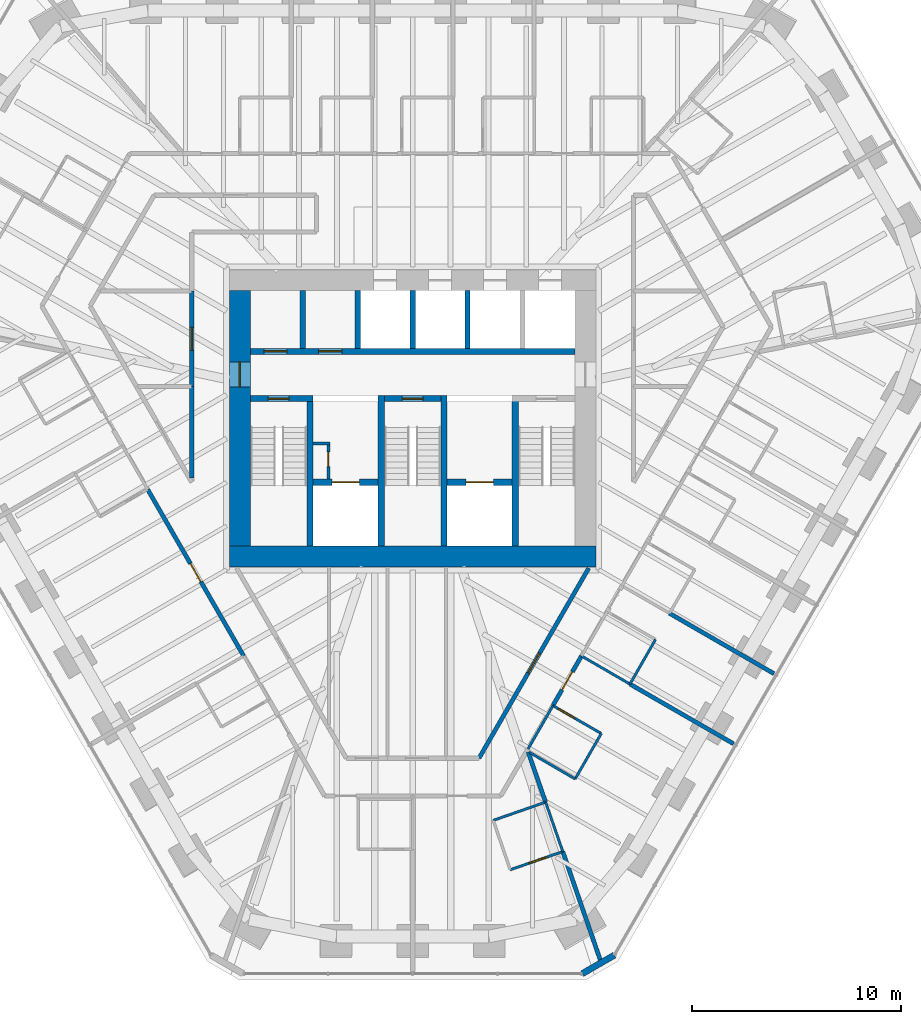
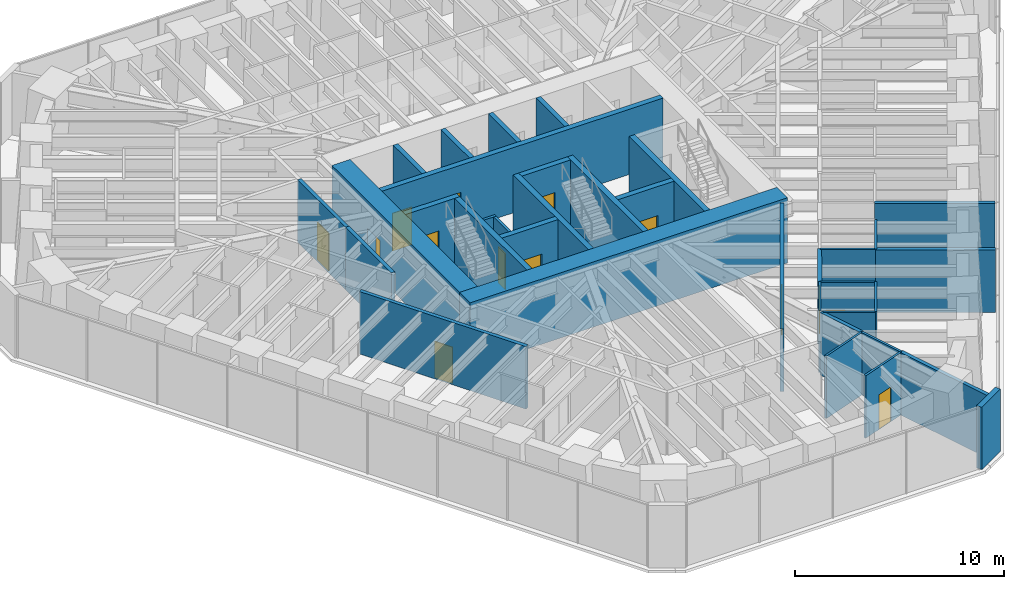
# One storey, part 12 of 17: 36 walls, 14 doors, 14 openings.
"""IFC4 building model written with IfcOpenShell, lengths in metres."""

from ifc_helpers import new_model, si_unit, direction, frame, frame_2d, origin, place, context, subcontext, project, spatial, rectangle, extrude, material, layer, layer_set, type_object, element, fill, save


model = new_model("IFC4")

# Units and contexts
model_context = context("Model", 3, precision=1e-05, world=origin(), true_north=direction((0.0, 1.0)))
body_context = subcontext(model_context, "Body", "Model", "MODEL_VIEW")
ifc_project = project(units=[si_unit("LENGTHUNIT", "METRE"), si_unit("AREAUNIT", "SQUARE_METRE"), si_unit("VOLUMEUNIT", "CUBIC_METRE"), si_unit("PLANEANGLEUNIT", "RADIAN"), si_unit("MASSUNIT", "GRAM", prefix="KILO")], contexts=[model_context])

# Site, building, storey
site_placement = place(None, origin())
site = spatial("IfcSite", under=ifc_project, at=site_placement, CompositionType="ELEMENT")
building_placement = place(site_placement, origin())
building = spatial("IfcBuilding", under=site, at=building_placement, Name="Sandreach Pilgrim Tower", CompositionType="ELEMENT")
storey_placement = place(building_placement, frame((0.0, 0.0, 236.39990234375)))
storey = spatial("IfcBuildingStorey", under=building, at=storey_placement, Name="L59", CompositionType="ELEMENT", Elevation=236.39990234375)

# Wall, opening, door
ifc_material_1 = material(Name="Moisture-resistant gypsum board on steel studs", Category="steel")
ifc_layer_1 = layer(ifc_material_1, 0.1201171875)
ifc_layer_set_1 = layer_set([ifc_layer_1], Name="Bathroom partition 120")
wall_type_1 = type_object("IfcWallType", Name="Bathroom partition 120", PredefinedType="PARTITIONING", material=ifc_layer_set_1)
wall_1_placement = place(storey_placement, frame((4.659912109375, -21.56005859375, 0.0), z_axis=(0.0, 0.0, 1.0), x_axis=(0.944838473769, 0.327536652126, 0.0)))
wall_1 = element("IfcWall", 1, at=wall_1_placement, inside=storey, type_object=wall_type_1, Name="Bathroom partition L59-087", PredefinedType="PARTITIONING", context=body_context, shape_type="SweptSolid", body=[
    extrude(rectangle(XDim=2.656494140625, YDim=0.1201171875, at=frame_2d((1.328125, 0.0))), origin(), (0.0, 0.0, 1.0), 3.64013671875),
])
opening_1_placement = place(wall_1_placement, frame((0.949951171875, 0.0, 0.0)))
opening_1 = element("IfcOpeningElement", 2, at=opening_1_placement, cuts=wall_1, Name="Opening D09-13B", PredefinedType="OPENING", context=body_context, shape_type="SweptSolid", body=[
    extrude(rectangle(XDim=0.89990234375, YDim=2.030029296875, at=frame_2d((0.449951171875, 1.01513671875))), frame((0.0, 0.06005859375, 0.0), z_axis=(0.0, -1.0, 0.0), x_axis=(1.0, 0.0, 0.0)), (0.0, 0.0, 1.0), 0.1201171875),
])
ifc_material_2 = material(Name="Timber door, steel frame", Category="steel")
door_type_1 = type_object("IfcDoorType", Name="Bathroom door", OperationType="SINGLE_SWING_LEFT", PredefinedType="DOOR", material=ifc_material_2)
door_1_placement = place(opening_1_placement, origin())
door_1 = element("IfcDoor", 3, at=door_1_placement, inside=storey, type_object=door_type_1, Name="Door 5913B", OperationType="SINGLE_SWING_RIGHT", OverallHeight=2.030029296875, OverallWidth=0.89990234375, PredefinedType="DOOR", context=body_context, shape_type="SweptSolid", body=[
    extrude(rectangle(XDim=0.89990234375, YDim=2.030029296875, at=frame_2d((0.449951171875, 1.01513671875))), frame((0.0, 0.02490234375, 0.0), z_axis=(0.0, -1.0, 0.0), x_axis=(1.0, 0.0, 0.0)), (0.0, 0.0, 1.0), 0.050048828125),
])
fill(opening_1, door_1)

# Walls
wall_2_placement = place(storey_placement, frame((5.510009765625, -15.7900390625, 0.0), z_axis=(0.0, 0.0, 1.0), x_axis=(0.49836161924, 0.866969259241, 0.0)))
element("IfcWall", 4, at=wall_2_placement, inside=storey, type_object=wall_type_1, Name="Bathroom partition L59-089", PredefinedType="PARTITIONING", context=body_context, shape_type="SweptSolid", body=[
    extrude(rectangle(XDim=2.3876953125, YDim=0.1201171875, at=frame_2d((1.19384765625, 0.0))), origin(), (0.0, 0.0, 1.0), 3.64013671875),
])
wall_3_placement = place(storey_placement, frame((5.593505859375, -15.962646484375, 0.0), z_axis=(0.0, 0.0, 1.0), x_axis=(0.864900876675, -0.501942699445, 0.0)))
element("IfcWall", 5, at=wall_3_placement, inside=storey, type_object=wall_type_1, Name="Bathroom partition L59-091", PredefinedType="PARTITIONING", context=body_context, shape_type="SweptSolid", body=[
    extrude(rectangle(XDim=2.5048828125, YDim=0.1201171875, at=frame_2d((1.25244140625, 0.0))), origin(), (0.0, 0.0, 1.0), 3.64013671875),
])
wall_4_placement = place(storey_placement, frame((6.35009765625, -18.330078125, 0.0), z_axis=(0.0, 0.0, 1.0), x_axis=(-0.944470666048, -0.328595740956, 0.0)))
element("IfcWall", 6, at=wall_4_placement, inside=storey, type_object=wall_type_1, Name="Bathroom partition L59-096", PredefinedType="PARTITIONING", context=body_context, shape_type="SweptSolid", body=[
    extrude(rectangle(XDim=2.647216796875, YDim=0.1201171875, at=frame_2d((1.32373046875, 0.0))), origin(), (0.0, 0.0, 1.0), 3.64013671875),
])
wall_5_placement = place(storey_placement, frame((6.35009765625, -18.330078125, 0.0), z_axis=(0.0, 0.0, 1.0), x_axis=(0.328164304993, -0.944620658745, 0.0)))
element("IfcWall", 7, at=wall_5_placement, inside=storey, type_object=wall_type_1, Name="Bathroom partition L59-097", PredefinedType="PARTITIONING", context=body_context, shape_type="SweptSolid", body=[
    extrude(rectangle(XDim=2.498291015625, YDim=0.1201171875, at=frame_2d((1.2490234375, 0.0))), origin(), (0.0, 0.0, 1.0), 3.64013671875),
])
wall_6_placement = place(storey_placement, frame((7.760009765625, -17.219970703125, 0.0), z_axis=(0.0, 0.0, 1.0), x_axis=(0.499159685399, 0.866510016372, 0.0)))
element("IfcWall", 8, at=wall_6_placement, inside=storey, type_object=wall_type_1, Name="Bathroom partition L59-099", PredefinedType="PARTITIONING", context=body_context, shape_type="SweptSolid", body=[
    extrude(rectangle(XDim=2.504150390625, YDim=0.1201171875, at=frame_2d((1.251953125, 0.0))), origin(), (0.0, 0.0, 1.0), 3.64013671875),
])
wall_7_placement = place(storey_placement, frame((8.070068359375, -11.35009765625, 0.0), z_axis=(0.0, 0.0, 1.0), x_axis=(0.865006586495, -0.501760505939, 0.0)))
element("IfcWall", 9, at=wall_7_placement, inside=storey, type_object=wall_type_1, Name="Bathroom partition L59-102", PredefinedType="PARTITIONING", context=body_context, shape_type="SweptSolid", body=[
    extrude(rectangle(XDim=2.670166015625, YDim=0.1201171875, at=frame_2d((1.3349609375, 0.0))), origin(), (0.0, 0.0, 1.0), 3.64013671875),
])

# Wall, opening, door
wall_8_placement = place(storey_placement, frame((9.010009765625, -15.050048828125, 0.0), z_axis=(0.0, 0.0, 1.0), x_axis=(-0.866615255992, 0.498976951453, 0.0)))
wall_8 = element("IfcWall", 10, at=wall_8_placement, inside=storey, type_object=wall_type_1, Name="Bathroom partition L59-106", PredefinedType="PARTITIONING", context=body_context, shape_type="SweptSolid", body=[
    extrude(rectangle(XDim=2.66552734375, YDim=0.1201171875, at=frame_2d((1.332763671875, 0.0))), origin(), (0.0, 0.0, 1.0), 3.64013671875),
])
opening_2_placement = place(wall_8_placement, frame((1.465576171875, 0.0, 0.0)))
opening_2 = element("IfcOpeningElement", 11, at=opening_2_placement, cuts=wall_8, Name="Opening D09-12B", PredefinedType="OPENING", context=body_context, shape_type="SweptSolid", body=[
    extrude(rectangle(XDim=0.89990234375, YDim=2.030029296875, at=frame_2d((0.449951171875, 1.01513671875))), frame((0.0, 0.06005859375, 0.0), z_axis=(0.0, -1.0, 0.0), x_axis=(1.0, 0.0, 0.0)), (0.0, 0.0, 1.0), 0.1201171875),
])
door_2_placement = place(opening_2_placement, origin())
door_2 = element("IfcDoor", 12, at=door_2_placement, inside=storey, type_object=door_type_1, Name="Door 5912B", OperationType="SINGLE_SWING_RIGHT", OverallHeight=2.030029296875, OverallWidth=0.89990234375, PredefinedType="DOOR", context=body_context, shape_type="SweptSolid", body=[
    extrude(rectangle(XDim=0.89990234375, YDim=2.030029296875, at=frame_2d((0.449951171875, 1.01513671875))), frame((0.0, 0.02490234375, 0.0), z_axis=(0.0, -1.0, 0.0), x_axis=(1.0, 0.0, 0.0)), (0.0, 0.0, 1.0), 0.050048828125),
])
fill(opening_2, door_2)

# Walls
wall_9_placement = place(storey_placement, frame((10.3798828125, -12.68994140625, 0.0), z_axis=(0.0, 0.0, 1.0), x_axis=(0.497102632485, 0.867691749861, 0.0)))
element("IfcWall", 13, at=wall_9_placement, inside=storey, type_object=wall_type_1, Name="Bathroom partition L59-110", PredefinedType="PARTITIONING", context=body_context, shape_type="SweptSolid", body=[
    extrude(rectangle(XDim=2.45458984375, YDim=0.1201171875, at=frame_2d((1.227294921875, 0.0))), origin(), (0.0, 0.0, 1.0), 3.64013671875),
])
ifc_material_3 = material(Name="Concrete 10000 psi", Category="concrete")
ifc_layer_2 = layer(ifc_material_3, 0.300048828125)
ifc_layer_set_2 = layer_set([ifc_layer_2], Name="Core inner wall 300")
wall_type_2 = type_object("IfcWallType", Name="Core inner wall 300", PredefinedType="SHEAR", material=ifc_layer_set_2)
for number, where, z_axis, x_axis, name in (
    (14, (-4.89990234375, -6.10009765625, 0.0), (0.0, 0.0, 1.0), (0.0, 1.0, 0.0), "Core wall I0 L59"),
    (15, (-1.5, -6.10009765625, 0.0), (0.0, 0.0, 1.0), (0.0, 1.0, 0.0), "Core wall I1 L59"),
    (16, (1.5, -6.10009765625, 0.0), (0.0, 0.0, 1.0), (0.0, 1.0, 0.0), "Core wall I2 L59"),
    (17, (4.89990234375, -6.10009765625, 0.0), (0.0, 0.0, 1.0), (0.0, 1.0, 0.0), "Core wall I3 L59"),
):
    element("IfcWall", number, at=place(storey_placement, frame(where, z_axis=z_axis, x_axis=x_axis)), inside=storey, type_object=wall_type_2, Name=name, PredefinedType="SHEAR", context=body_context, shape_type="SweptSolid", body=[
        extrude(rectangle(XDim=7.2001953125, YDim=0.300048828125, at=frame_2d((3.60009765625, 0.0))), origin(), (0.0, 0.0, 1.0), 3.800048828125),
    ])

# Wall, opening, door
wall_10_placement = place(storey_placement, frame((-7.75, 0.949951171875, 0.0), z_axis=(0.0, 0.0, 1.0), x_axis=(1.0, 0.0, 0.0)))
wall_10 = element("IfcWall", 18, at=wall_10_placement, inside=storey, type_object=wall_type_2, Name="Core wall SN1 L59", PredefinedType="SHEAR", context=body_context, shape_type="SweptSolid", body=[
    extrude(rectangle(XDim=3.0, YDim=0.300048828125, at=frame_2d((1.5, 0.0))), origin(), (0.0, 0.0, 1.0), 3.800048828125),
])
opening_3_placement = place(wall_10_placement, frame((0.85009765625, 0.0, 0.0)))
opening_3 = element("IfcOpeningElement", 19, at=opening_3_placement, cuts=wall_10, Name="Opening D10S-ST1", PredefinedType="OPENING", context=body_context, shape_type="SweptSolid", body=[
    extrude(rectangle(XDim=1.0, YDim=2.199951171875, at=frame_2d((0.5, 1.10009765625))), frame((0.0, 0.14990234375, 0.0), z_axis=(0.0, -1.0, 0.0), x_axis=(1.0, 0.0, 0.0)), (0.0, 0.0, 1.0), 0.300048828125),
])
ifc_material_4 = material(Name="Steel door and frame", Category="steel")
door_type_2 = type_object("IfcDoorType", Name="Stair door", OperationType="SINGLE_SWING_LEFT", PredefinedType="DOOR", material=ifc_material_4)
door_3_placement = place(opening_3_placement, origin())
door_3 = element("IfcDoor", 20, at=door_3_placement, inside=storey, type_object=door_type_2, Name="Stair door ST1 L59", OperationType="SINGLE_SWING_LEFT", OverallHeight=2.199951171875, OverallWidth=1.0, PredefinedType="DOOR", context=body_context, shape_type="SweptSolid", body=[
    extrude(rectangle(XDim=1.0, YDim=2.199951171875, at=frame_2d((0.5, 1.10009765625))), frame((0.0, 0.02490234375, 0.0), z_axis=(0.0, -1.0, 0.0), x_axis=(1.0, 0.0, 0.0)), (0.0, 0.0, 1.0), 0.050048828125),
])
fill(opening_3, door_3)

wall_11_placement = place(storey_placement, frame((-1.35009765625, 0.949951171875, 0.0), z_axis=(0.0, 0.0, 1.0), x_axis=(1.0, 0.0, 0.0)))
wall_11 = element("IfcWall", 21, at=wall_11_placement, inside=storey, type_object=wall_type_2, Name="Core wall SN3 L59", PredefinedType="SHEAR", context=body_context, shape_type="SweptSolid", body=[
    extrude(rectangle(XDim=2.7001953125, YDim=0.300048828125, at=frame_2d((1.35009765625, 0.0))), origin(), (0.0, 0.0, 1.0), 3.800048828125),
])
opening_4_placement = place(wall_11_placement, frame((0.85009765625, 0.0, 0.0)))
opening_4 = element("IfcOpeningElement", 22, at=opening_4_placement, cuts=wall_11, Name="Opening D10S-ST3", PredefinedType="OPENING", context=body_context, shape_type="SweptSolid", body=[
    extrude(rectangle(XDim=1.0, YDim=2.199951171875, at=frame_2d((0.5, 1.10009765625))), frame((0.0, 0.14990234375, 0.0), z_axis=(0.0, -1.0, 0.0), x_axis=(1.0, 0.0, 0.0)), (0.0, 0.0, 1.0), 0.300048828125),
])
door_4_placement = place(opening_4_placement, origin())
door_4 = element("IfcDoor", 23, at=door_4_placement, inside=storey, type_object=door_type_2, Name="Stair door ST3 L59", OperationType="SINGLE_SWING_LEFT", OverallHeight=2.199951171875, OverallWidth=1.0, PredefinedType="DOOR", context=body_context, shape_type="SweptSolid", body=[
    extrude(rectangle(XDim=1.0, YDim=2.199951171875, at=frame_2d((0.5, 1.10009765625))), frame((0.0, 0.02490234375, 0.0), z_axis=(0.0, -1.0, 0.0), x_axis=(1.0, 0.0, 0.0)), (0.0, 0.0, 1.0), 0.050048828125),
])
fill(opening_4, door_4)

wall_12_placement = place(storey_placement, frame((-4.75, -3.050048828125, 0.0), z_axis=(0.0, 0.0, 1.0), x_axis=(1.0, 0.0, 0.0)))
wall_12 = element("IfcWall", 24, at=wall_12_placement, inside=storey, type_object=wall_type_2, Name="Core wall FL1 L59", PredefinedType="SHEAR", context=body_context, shape_type="SweptSolid", body=[
    extrude(rectangle(XDim=3.10009765625, YDim=0.300048828125, at=frame_2d((1.550048828125, 0.0))), origin(), (0.0, 0.0, 1.0), 3.800048828125),
])
opening_5_placement = place(wall_12_placement, frame((0.89990234375, 0.0, 0.0)))
opening_5 = element("IfcOpeningElement", 25, at=opening_5_placement, cuts=wall_12, Name="Opening LD13", PredefinedType="OPENING", context=body_context, shape_type="SweptSolid", body=[
    extrude(rectangle(XDim=1.300048828125, YDim=2.10009765625, at=frame_2d((0.64990234375, 1.050048828125))), frame((0.0, 0.14990234375, 0.0), z_axis=(0.0, -1.0, 0.0), x_axis=(1.0, 0.0, 0.0)), (0.0, 0.0, 1.0), 0.300048828125),
])
ifc_material_5 = material(Name="Steel door and frame", Category="steel")
door_type_3 = type_object("IfcDoorType", Name="Fire service lift landing door", OperationType="DOUBLE_DOOR_SLIDING", PredefinedType="DOOR", material=ifc_material_5)
door_5_placement = place(opening_5_placement, origin())
door_5 = element("IfcDoor", 26, at=door_5_placement, inside=storey, type_object=door_type_3, Name="Lift landing door FS1 L59", OperationType="DOUBLE_DOOR_SLIDING", OverallHeight=2.10009765625, OverallWidth=1.300048828125, PredefinedType="DOOR", context=body_context, shape_type="SweptSolid", body=[
    extrude(rectangle(XDim=1.300048828125, YDim=2.10009765625, at=frame_2d((0.64990234375, 1.050048828125))), frame((0.0, 0.02490234375, 0.0), z_axis=(0.0, -1.0, 0.0), x_axis=(1.0, 0.0, 0.0)), (0.0, 0.0, 1.0), 0.050048828125),
])
fill(opening_5, door_5)

wall_13_placement = place(storey_placement, frame((1.64990234375, -3.050048828125, 0.0), z_axis=(0.0, 0.0, 1.0), x_axis=(1.0, 0.0, 0.0)))
wall_13 = element("IfcWall", 27, at=wall_13_placement, inside=storey, type_object=wall_type_2, Name="Core wall FL2 L59", PredefinedType="SHEAR", context=body_context, shape_type="SweptSolid", body=[
    extrude(rectangle(XDim=3.10009765625, YDim=0.300048828125, at=frame_2d((1.550048828125, 0.0))), origin(), (0.0, 0.0, 1.0), 3.800048828125),
])
opening_6_placement = place(wall_13_placement, frame((0.89990234375, 0.0, 0.0)))
opening_6 = element("IfcOpeningElement", 28, at=opening_6_placement, cuts=wall_13, Name="Opening LD13", PredefinedType="OPENING", context=body_context, shape_type="SweptSolid", body=[
    extrude(rectangle(XDim=1.300048828125, YDim=2.10009765625, at=frame_2d((0.64990234375, 1.050048828125))), frame((0.0, 0.14990234375, 0.0), z_axis=(0.0, -1.0, 0.0), x_axis=(1.0, 0.0, 0.0)), (0.0, 0.0, 1.0), 0.300048828125),
])
door_6_placement = place(opening_6_placement, origin())
door_6 = element("IfcDoor", 29, at=door_6_placement, inside=storey, type_object=door_type_3, Name="Lift landing door FS2 L59", OperationType="DOUBLE_DOOR_SLIDING", OverallHeight=2.10009765625, OverallWidth=1.300048828125, PredefinedType="DOOR", context=body_context, shape_type="SweptSolid", body=[
    extrude(rectangle(XDim=1.300048828125, YDim=2.10009765625, at=frame_2d((0.64990234375, 1.050048828125))), frame((0.0, 0.02490234375, 0.0), z_axis=(0.0, -1.0, 0.0), x_axis=(1.0, 0.0, 0.0)), (0.0, 0.0, 1.0), 0.050048828125),
])
fill(opening_6, door_6)

# Wall, openings, doors
wall_14_placement = place(storey_placement, frame((-7.75, 3.199951171875, 0.0), z_axis=(0.0, 0.0, 1.0), x_axis=(1.0, 0.0, 0.0)))
wall_14 = element("IfcWall", 30, at=wall_14_placement, inside=storey, type_object=wall_type_2, Name="Core wall PN L59", PredefinedType="SHEAR", context=body_context, shape_type="SweptSolid", body=[
    extrude(rectangle(XDim=15.5, YDim=0.300048828125, at=frame_2d((7.75, 0.0))), origin(), (0.0, 0.0, 1.0), 3.800048828125),
])
opening_7_placement = place(wall_14_placement, frame((0.637451171875, 0.0, 0.0)))
opening_7 = element("IfcOpeningElement", 31, at=opening_7_placement, cuts=wall_14, Name="Opening D11L", PredefinedType="OPENING", context=body_context, shape_type="SweptSolid", body=[
    extrude(rectangle(XDim=1.10009765625, YDim=2.199951171875, at=frame_2d((0.550048828125, 1.10009765625))), frame((0.0, 0.14990234375, 0.0), z_axis=(0.0, -1.0, 0.0), x_axis=(1.0, 0.0, 0.0)), (0.0, 0.0, 1.0), 0.300048828125),
])
opening_8_placement = place(wall_14_placement, frame((3.262451171875, 0.0, 0.0)))
opening_8 = element("IfcOpeningElement", 32, at=opening_8_placement, cuts=wall_14, Name="Opening D11L", PredefinedType="OPENING", context=body_context, shape_type="SweptSolid", body=[
    extrude(rectangle(XDim=1.10009765625, YDim=2.199951171875, at=frame_2d((0.550048828125, 1.10009765625))), frame((0.0, 0.14990234375, 0.0), z_axis=(0.0, -1.0, 0.0), x_axis=(1.0, 0.0, 0.0)), (0.0, 0.0, 1.0), 0.300048828125),
])
ifc_material_6 = material(Name="Steel door and frame, smoke seals", Category="steel")
door_type_4 = type_object("IfcDoorType", Name="Core room door", OperationType="SINGLE_SWING_LEFT", PredefinedType="DOOR", material=ifc_material_6)
door_7_placement = place(opening_7_placement, origin())
door_7 = element("IfcDoor", 33, at=door_7_placement, inside=storey, type_object=door_type_4, Name="Door guest pantry 59K1", OperationType="SINGLE_SWING_LEFT", OverallHeight=2.199951171875, OverallWidth=1.10009765625, PredefinedType="DOOR", context=body_context, shape_type="SweptSolid", body=[
    extrude(rectangle(XDim=1.10009765625, YDim=2.199951171875, at=frame_2d((0.550048828125, 1.10009765625))), frame((0.0, 0.02490234375, 0.0), z_axis=(0.0, -1.0, 0.0), x_axis=(1.0, 0.0, 0.0)), (0.0, 0.0, 1.0), 0.050048828125),
])
fill(opening_7, door_7)
door_8_placement = place(opening_8_placement, origin())
door_8 = element("IfcDoor", 34, at=door_8_placement, inside=storey, type_object=door_type_4, Name="Door it room 59K2", OperationType="SINGLE_SWING_LEFT", OverallHeight=2.199951171875, OverallWidth=1.10009765625, PredefinedType="DOOR", context=body_context, shape_type="SweptSolid", body=[
    extrude(rectangle(XDim=1.10009765625, YDim=2.199951171875, at=frame_2d((0.550048828125, 1.10009765625))), frame((0.0, 0.02490234375, 0.0), z_axis=(0.0, -1.0, 0.0), x_axis=(1.0, 0.0, 0.0)), (0.0, 0.0, 1.0), 0.050048828125),
])
fill(opening_8, door_8)

# Wall
ifc_material_7 = material(Name="Concrete 10000 psi", Category="concrete")
ifc_layer_3 = layer(ifc_material_7, 1.0)
ifc_layer_set_3 = layer_set([ifc_layer_3], Name="Core wall 1000")
wall_type_3 = type_object("IfcWallType", Name="Core wall 1000", PredefinedType="SHEAR", material=ifc_layer_set_3)
wall_15_placement = place(storey_placement, frame((-8.75, -6.60009765625, 0.0), z_axis=(0.0, 0.0, 1.0), x_axis=(1.0, 0.0, 0.0)))
element("IfcWall", 35, at=wall_15_placement, inside=storey, type_object=wall_type_3, Name="Core wall S L59", PredefinedType="SHEAR", context=body_context, shape_type="SweptSolid", body=[
    extrude(rectangle(XDim=17.5, YDim=1.0, at=frame_2d((8.75, 0.0))), origin(), (0.0, 0.0, 1.0), 3.800048828125),
])

# Wall, opening, door
wall_16_placement = place(storey_placement, frame((-8.25, -6.10009765625, 0.0), z_axis=(0.0, 0.0, 1.0), x_axis=(0.0, 1.0, 0.0)))
wall_16 = element("IfcWall", 36, at=wall_16_placement, inside=storey, type_object=wall_type_3, Name="Core wall W L59", PredefinedType="SHEAR", context=body_context, shape_type="SweptSolid", body=[
    extrude(rectangle(XDim=12.2001953125, YDim=1.0, at=frame_2d((6.10009765625, 0.0))), origin(), (0.0, 0.0, 1.0), 3.800048828125),
])
opening_9_placement = place(wall_16_placement, frame((7.60009765625, 0.0, 0.0)))
opening_9 = element("IfcOpeningElement", 37, at=opening_9_placement, cuts=wall_16, Name="Opening D12F-W", PredefinedType="OPENING", context=body_context, shape_type="SweptSolid", body=[
    extrude(rectangle(XDim=1.199951171875, YDim=2.199951171875, at=frame_2d((0.60009765625, 1.10009765625))), frame((0.0, 0.5, 0.0), z_axis=(0.0, -1.0, 0.0), x_axis=(1.0, 0.0, 0.0)), (0.0, 0.0, 1.0), 1.0),
])
ifc_material_8 = material(Name="Steel door and frame", Category="steel")
door_type_5 = type_object("IfcDoorType", Name="Fire lobby door", OperationType="SINGLE_SWING_LEFT", PredefinedType="DOOR", material=ifc_material_8)
door_9_placement = place(opening_9_placement, origin())
door_9 = element("IfcDoor", 38, at=door_9_placement, inside=storey, type_object=door_type_5, Name="Fire service lobby door W L59", OperationType="SINGLE_SWING_RIGHT", OverallHeight=2.199951171875, OverallWidth=1.199951171875, PredefinedType="DOOR", context=body_context, shape_type="SweptSolid", body=[
    extrude(rectangle(XDim=1.199951171875, YDim=2.199951171875, at=frame_2d((0.60009765625, 1.10009765625))), frame((0.0, 0.02490234375, 0.0), z_axis=(0.0, -1.0, 0.0), x_axis=(1.0, 0.0, 0.0)), (0.0, 0.0, 1.0), 0.050048828125),
])
fill(opening_9, door_9)

ifc_material_9 = material(Name="Gypsum board on steel studs, two layers each side", Category="steel")
ifc_layer_4 = layer(ifc_material_9, 0.199951171875)
ifc_layer_set_4 = layer_set([ifc_layer_4], Name="Corridor wall 200")
wall_type_4 = type_object("IfcWallType", Name="Corridor wall 200", PredefinedType="PARTITIONING", material=ifc_layer_set_4)
wall_17_placement = place(storey_placement, frame((-12.659912109375, -3.389892578125, 0.0), z_axis=(0.0, 0.0, 1.0), x_axis=(0.499511590934, -0.866307203319, 0.0)))
wall_17 = element("IfcWall", 39, at=wall_17_placement, inside=storey, type_object=wall_type_4, Name="Corridor wall L59-032", PredefinedType="PARTITIONING", context=body_context, shape_type="SweptSolid", body=[
    extrude(rectangle(XDim=9.188720703125, YDim=0.199951171875, at=frame_2d((4.59423828125, 0.0))), origin(), (0.0, 0.0, 1.0), 3.64013671875),
])
opening_10_placement = place(wall_17_placement, frame((4.09423828125, 0.0, 0.0)))
opening_10 = element("IfcOpeningElement", 40, at=opening_10_placement, cuts=wall_17, Name="Opening D10-16", PredefinedType="OPENING", context=body_context, shape_type="SweptSolid", body=[
    extrude(rectangle(XDim=1.0, YDim=2.1298828125, at=frame_2d((0.5, 1.06494140625))), frame((0.0, 0.10009765625, 0.0), z_axis=(0.0, -1.0, 0.0), x_axis=(1.0, 0.0, 0.0)), (0.0, 0.0, 1.0), 0.199951171875),
])
ifc_material_10 = material(Name="Steel door and frame", Category="steel")
door_type_6 = type_object("IfcDoorType", Name="Guest room entry door", OperationType="SINGLE_SWING_LEFT", PredefinedType="DOOR", material=ifc_material_10)
door_10_placement = place(opening_10_placement, origin())
door_10 = element("IfcDoor", 41, at=door_10_placement, inside=storey, type_object=door_type_6, Name="Door 5916", OperationType="SINGLE_SWING_LEFT", OverallHeight=2.1298828125, OverallWidth=1.0, PredefinedType="DOOR", context=body_context, shape_type="SweptSolid", body=[
    extrude(rectangle(XDim=1.0, YDim=2.1298828125, at=frame_2d((0.5, 1.06494140625))), frame((0.0, 0.02490234375, 0.0), z_axis=(0.0, -1.0, 0.0), x_axis=(1.0, 0.0, 0.0)), (0.0, 0.0, 1.0), 0.050048828125),
])
fill(opening_10, door_10)

# Wall
wall_18_placement = place(storey_placement, frame((-10.550048828125, 1.52001953125, 0.0), z_axis=(0.0, 0.0, 1.0), x_axis=(0.0, -1.0, 0.0)))
element("IfcWall", 42, at=wall_18_placement, inside=storey, type_object=wall_type_4, Name="Corridor wall L59-038", PredefinedType="PARTITIONING", context=body_context, shape_type="SweptSolid", body=[
    extrude(rectangle(XDim=4.375, YDim=0.199951171875, at=frame_2d((2.1875, 0.0))), origin(), (0.0, 0.0, 1.0), 3.64013671875),
])

# Wall, opening, door
wall_19_placement = place(storey_placement, frame((-10.550048828125, 6.090087890625, 0.0), z_axis=(0.0, 0.0, 1.0), x_axis=(0.0, -1.0, 0.0)))
wall_19 = element("IfcWall", 43, at=wall_19_placement, inside=storey, type_object=wall_type_4, Name="Corridor wall L59-039", PredefinedType="PARTITIONING", context=body_context, shape_type="SweptSolid", body=[
    extrude(rectangle(XDim=4.570068359375, YDim=0.199951171875, at=frame_2d((2.28515625, 0.0))), origin(), (0.0, 0.0, 1.0), 3.64013671875),
])
opening_11_placement = place(wall_19_placement, frame((1.735107421875, 0.0, 0.0)))
opening_11 = element("IfcOpeningElement", 44, at=opening_11_placement, cuts=wall_19, Name="Opening D11H-M01", PredefinedType="OPENING", context=body_context, shape_type="SweptSolid", body=[
    extrude(rectangle(XDim=1.10009765625, YDim=2.199951171875, at=frame_2d((0.550048828125, 1.10009765625))), frame((0.0, 0.10009765625, 0.0), z_axis=(0.0, -1.0, 0.0), x_axis=(1.0, 0.0, 0.0)), (0.0, 0.0, 1.0), 0.199951171875),
])
ifc_material_11 = material(Name="Steel door and frame", Category="steel")
door_type_7 = type_object("IfcDoorType", Name="Back of house door", OperationType="SINGLE_SWING_LEFT", PredefinedType="DOOR", material=ifc_material_11)
door_11_placement = place(opening_11_placement, origin())
door_11 = element("IfcDoor", 45, at=door_11_placement, inside=storey, type_object=door_type_7, Name="Door 59M01", OperationType="SINGLE_SWING_LEFT", OverallHeight=2.199951171875, OverallWidth=1.10009765625, PredefinedType="DOOR", context=body_context, shape_type="SweptSolid", body=[
    extrude(rectangle(XDim=1.10009765625, YDim=2.199951171875, at=frame_2d((0.550048828125, 1.10009765625))), frame((0.0, 0.02490234375, 0.0), z_axis=(0.0, -1.0, 0.0), x_axis=(1.0, 0.0, 0.0)), (0.0, 0.0, 1.0), 0.050048828125),
])
fill(opening_11, door_11)

wall_20_placement = place(storey_placement, frame((8.065185546875, -11.34716796875, 0.0), z_axis=(0.0, 0.0, 1.0), x_axis=(-0.499611785355, -0.866249423627, 0.0)))
wall_20 = element("IfcWall", 46, at=wall_20_placement, inside=storey, type_object=wall_type_4, Name="Corridor wall L59-100", PredefinedType="PARTITIONING", context=body_context, shape_type="SweptSolid", body=[
    extrude(rectangle(XDim=2.737548828125, YDim=0.199951171875, at=frame_2d((1.36865234375, 0.0))), origin(), (0.0, 0.0, 1.0), 3.64013671875),
])
opening_12_placement = place(wall_20_placement, frame((0.868896484375, 0.0, 0.0)))
opening_12 = element("IfcOpeningElement", 47, at=opening_12_placement, cuts=wall_20, Name="Opening D10-12", PredefinedType="OPENING", context=body_context, shape_type="SweptSolid", body=[
    extrude(rectangle(XDim=1.0, YDim=2.1298828125, at=frame_2d((0.5, 1.06494140625))), frame((0.0, 0.10009765625, 0.0), z_axis=(0.0, -1.0, 0.0), x_axis=(1.0, 0.0, 0.0)), (0.0, 0.0, 1.0), 0.199951171875),
])
door_12_placement = place(opening_12_placement, origin())
door_12 = element("IfcDoor", 48, at=door_12_placement, inside=storey, type_object=door_type_6, Name="Door 5912", OperationType="SINGLE_SWING_LEFT", OverallHeight=2.1298828125, OverallWidth=1.0, PredefinedType="DOOR", context=body_context, shape_type="SweptSolid", body=[
    extrude(rectangle(XDim=1.0, YDim=2.1298828125, at=frame_2d((0.5, 1.06494140625))), frame((0.0, 0.02490234375, 0.0), z_axis=(0.0, -1.0, 0.0), x_axis=(1.0, 0.0, 0.0)), (0.0, 0.0, 1.0), 0.050048828125),
])
fill(opening_12, door_12)

wall_21_placement = place(storey_placement, frame((8.409912109375, -7.14990234375, 0.0), z_axis=(0.0, 0.0, 1.0), x_axis=(-0.499828628176, -0.866124322748, 0.0)))
wall_21 = element("IfcWall", 49, at=wall_21_placement, inside=storey, type_object=wall_type_4, Name="Corridor wall L59-103", PredefinedType="PARTITIONING", context=body_context, shape_type="SweptSolid", body=[
    extrude(rectangle(XDim=10.483642578125, YDim=0.199951171875, at=frame_2d((5.24169921875, 0.0))), origin(), (0.0, 0.0, 1.0), 3.64013671875),
])
opening_13_placement = place(wall_21_placement, frame((4.691650390625, 0.0, 0.0)))
opening_13 = element("IfcOpeningElement", 50, at=opening_13_placement, cuts=wall_21, Name="Opening D11H-S4", PredefinedType="OPENING", context=body_context, shape_type="SweptSolid", body=[
    extrude(rectangle(XDim=1.10009765625, YDim=2.199951171875, at=frame_2d((0.550048828125, 1.10009765625))), frame((0.0, 0.10009765625, 0.0), z_axis=(0.0, -1.0, 0.0), x_axis=(1.0, 0.0, 0.0)), (0.0, 0.0, 1.0), 0.199951171875),
])
door_13_placement = place(opening_13_placement, origin())
door_13 = element("IfcDoor", 51, at=door_13_placement, inside=storey, type_object=door_type_7, Name="Door 59S4", OperationType="SINGLE_SWING_LEFT", OverallHeight=2.199951171875, OverallWidth=1.10009765625, PredefinedType="DOOR", context=body_context, shape_type="SweptSolid", body=[
    extrude(rectangle(XDim=1.10009765625, YDim=2.199951171875, at=frame_2d((0.550048828125, 1.10009765625))), frame((0.0, 0.02490234375, 0.0), z_axis=(0.0, -1.0, 0.0), x_axis=(1.0, 0.0, 0.0)), (0.0, 0.0, 1.0), 0.050048828125),
])
fill(opening_13, door_13)

# Walls
ifc_material_12 = material(Name="Double steel stud acoustic wall, gypsum board", Category="steel")
ifc_layer_5 = layer(ifc_material_12, 0.199951171875)
ifc_layer_set_5 = layer_set([ifc_layer_5], Name="Party wall 200")
wall_type_5 = type_object("IfcWallType", Name="Party wall 200", PredefinedType="PARTITIONING", material=ifc_layer_set_5)
wall_22_placement = place(storey_placement, frame((5.51708984375, -15.936767578125, 0.0), z_axis=(0.0, 0.0, 1.0), x_axis=(0.328714924291, -0.944429191919, 0.0)))
element("IfcWall", 52, at=wall_22_placement, inside=storey, type_object=wall_type_5, Name="Party wall L59-090", PredefinedType="PARTITIONING", context=body_context, shape_type="SweptSolid", body=[
    extrude(rectangle(XDim=2.5341796875, YDim=0.199951171875, at=frame_2d((1.26708984375, 0.0))), origin(), (0.0, 0.0, 1.0), 3.64013671875),
])
wall_23_placement = place(storey_placement, frame((7.169921875, -20.68994140625, 0.0), z_axis=(0.0, 0.0, 1.0), x_axis=(0.326821657676, -0.945086029985, 0.0)))
element("IfcWall", 53, at=wall_23_placement, inside=storey, type_object=wall_type_5, Name="Party wall L59-098", PredefinedType="PARTITIONING", context=body_context, shape_type="SweptSolid", body=[
    extrude(rectangle(XDim=5.631103515625, YDim=0.199951171875, at=frame_2d((2.8154296875, 0.0))), origin(), (0.0, 0.0, 1.0), 3.64013671875),
])
wall_24_placement = place(storey_placement, frame((10.3798828125, -12.68994140625, 0.0), z_axis=(0.0, 0.0, 1.0), x_axis=(0.866442508333, -0.499276856818, 0.0)))
element("IfcWall", 54, at=wall_24_placement, inside=storey, type_object=wall_type_5, Name="Party wall L59-111", PredefinedType="PARTITIONING", context=body_context, shape_type="SweptSolid", body=[
    extrude(rectangle(XDim=5.70849609375, YDim=0.199951171875, at=frame_2d((2.854248046875, 0.0))), origin(), (0.0, 0.0, 1.0), 3.64013671875),
])
wall_25_placement = place(storey_placement, frame((12.269775390625, -9.310546875, 0.0), z_axis=(0.0, 0.0, 1.0), x_axis=(0.865985044037, -0.500069898618, 0.0)))
element("IfcWall", 55, at=wall_25_placement, inside=storey, type_object=wall_type_5, Name="Party wall L59-130", PredefinedType="PARTITIONING", context=body_context, shape_type="SweptSolid", body=[
    extrude(rectangle(XDim=5.758056640625, YDim=0.199951171875, at=frame_2d((2.87890625, 0.0))), origin(), (0.0, 0.0, 1.0), 3.64013671875),
])

# Wall, opening, door
ifc_material_13 = material(Name="Gypsum shaft wall on steel studs, shaft liner board", Category="steel")
ifc_layer_6 = layer(ifc_material_13, 0.14990234375)
ifc_layer_set_6 = layer_set([ifc_layer_6], Name="Riser shaft wall 150")
wall_type_6 = type_object("IfcWallType", Name="Riser shaft wall 150", PredefinedType="PARTITIONING", material=ifc_layer_set_6)
wall_26_placement = place(storey_placement, frame((-4.02490234375, -2.89990234375, 0.0), z_axis=(0.0, 0.0, 1.0), x_axis=(0.0, 1.0, 0.0)))
wall_26 = element("IfcWall", 56, at=wall_26_placement, inside=storey, type_object=wall_type_6, Name="Riser partition L59 side", PredefinedType="PARTITIONING", context=body_context, shape_type="SweptSolid", body=[
    extrude(rectangle(XDim=1.77490234375, YDim=0.14990234375, at=frame_2d((0.887451171875, 0.0))), origin(), (0.0, 0.0, 1.0), 3.64013671875),
])
opening_14_placement = place(wall_26_placement, frame((0.60009765625, 0.0, 0.0)))
opening_14 = element("IfcOpeningElement", 57, at=opening_14_placement, cuts=wall_26, Name="Opening D07R", PredefinedType="OPENING", context=body_context, shape_type="SweptSolid", body=[
    extrude(rectangle(XDim=0.699951171875, YDim=2.10009765625, at=frame_2d((0.35009765625, 1.050048828125))), frame((0.0, 0.074951171875, 0.0), z_axis=(0.0, -1.0, 0.0), x_axis=(1.0, 0.0, 0.0)), (0.0, 0.0, 1.0), 0.14990234375),
])
ifc_material_14 = material(Name="Steel door and frame, smoke seals", Category="steel")
door_type_8 = type_object("IfcDoorType", Name="Riser access door", OperationType="SINGLE_SWING_RIGHT", PredefinedType="DOOR", material=ifc_material_14)
door_14_placement = place(opening_14_placement, origin())
door_14 = element("IfcDoor", 58, at=door_14_placement, inside=storey, type_object=door_type_8, Name="Door riser 59ER", OperationType="SINGLE_SWING_RIGHT", OverallHeight=2.10009765625, OverallWidth=0.699951171875, PredefinedType="DOOR", context=body_context, shape_type="SweptSolid", body=[
    extrude(rectangle(XDim=0.699951171875, YDim=2.10009765625, at=frame_2d((0.35009765625, 1.050048828125))), frame((0.0, 0.02490234375, 0.0), z_axis=(0.0, -1.0, 0.0), x_axis=(1.0, 0.0, 0.0)), (0.0, 0.0, 1.0), 0.050048828125),
])
fill(opening_14, door_14)

# Walls
wall_27_placement = place(storey_placement, frame((-4.75, -1.199951171875, 0.0), z_axis=(0.0, 0.0, 1.0), x_axis=(1.0, 0.0, 0.0)))
element("IfcWall", 59, at=wall_27_placement, inside=storey, type_object=wall_type_6, Name="Riser partition L59 front", PredefinedType="PARTITIONING", context=body_context, shape_type="SweptSolid", body=[
    extrude(rectangle(XDim=0.800048828125, YDim=0.14990234375, at=frame_2d((0.39990234375, 0.0))), origin(), (0.0, 0.0, 1.0), 3.64013671875),
])
ifc_material_15 = material(Name="Gypsum shaft wall on steel studs, two layers of shaft liner board", Category="steel")
ifc_layer_7 = layer(ifc_material_15, 0.25)
ifc_layer_set_7 = layer_set([ifc_layer_7], Name="Shaft partition 250")
wall_type_7 = type_object("IfcWallType", Name="Shaft partition 250", PredefinedType="PARTITIONING", material=ifc_layer_set_7)
for number, where, z_axis, x_axis, name in (
    (60, (-5.25, 3.35009765625, 0.0), (0.0, 0.0, 1.0), (0.0, 1.0, 0.0), "Shaft partition NS0 L59"),
    (61, (-2.625, 3.35009765625, 0.0), (0.0, 0.0, 1.0), (0.0, 1.0, 0.0), "Shaft partition NS1 L59"),
    (62, (0.0, 3.35009765625, 0.0), (0.0, 0.0, 1.0), (0.0, 1.0, 0.0), "Shaft partition NS2 L59"),
    (63, (2.625, 3.35009765625, 0.0), (0.0, 0.0, 1.0), (0.0, 1.0, 0.0), "Shaft partition NS3 L59"),
):
    element("IfcWall", number, at=place(storey_placement, frame(where, z_axis=z_axis, x_axis=x_axis)), inside=storey, type_object=wall_type_7, Name=name, PredefinedType="PARTITIONING", context=body_context, shape_type="SweptSolid", body=[
        extrude(rectangle(XDim=2.75, YDim=0.25, at=frame_2d((1.375, 0.0))), origin(), (0.0, 0.0, 1.0), 3.800048828125),
    ])
ifc_material_16 = material(Name="Terracotta rainscreen on concrete", Category="masonry")
ifc_layer_8 = layer(ifc_material_16, 0.300048828125)
ifc_layer_set_8 = layer_set([ifc_layer_8], Name="Terracotta chamfer pier")
wall_type_8 = type_object("IfcWallType", Name="Terracotta chamfer pier", PredefinedType="SOLIDWALL", material=ifc_layer_set_8)
wall_28_placement = place(storey_placement, frame((9.63037109375, -25.64013671875, 0.0), z_axis=(0.0, 0.0, 1.0), x_axis=(-0.866036293601, -0.499981137809, 0.0)))
element("IfcWall", 64, at=wall_28_placement, inside=storey, type_object=wall_type_8, Name="Chamfer pier L59 SE", PredefinedType="SOLIDWALL", context=body_context, shape_type="SweptSolid", body=[
    extrude(rectangle(XDim=1.77001953125, YDim=0.300048828125, at=frame_2d((0.885009765625, 0.0))), origin(), (0.0, 0.0, 1.0), 3.64013671875),
])

save(model, "model.ifc")
